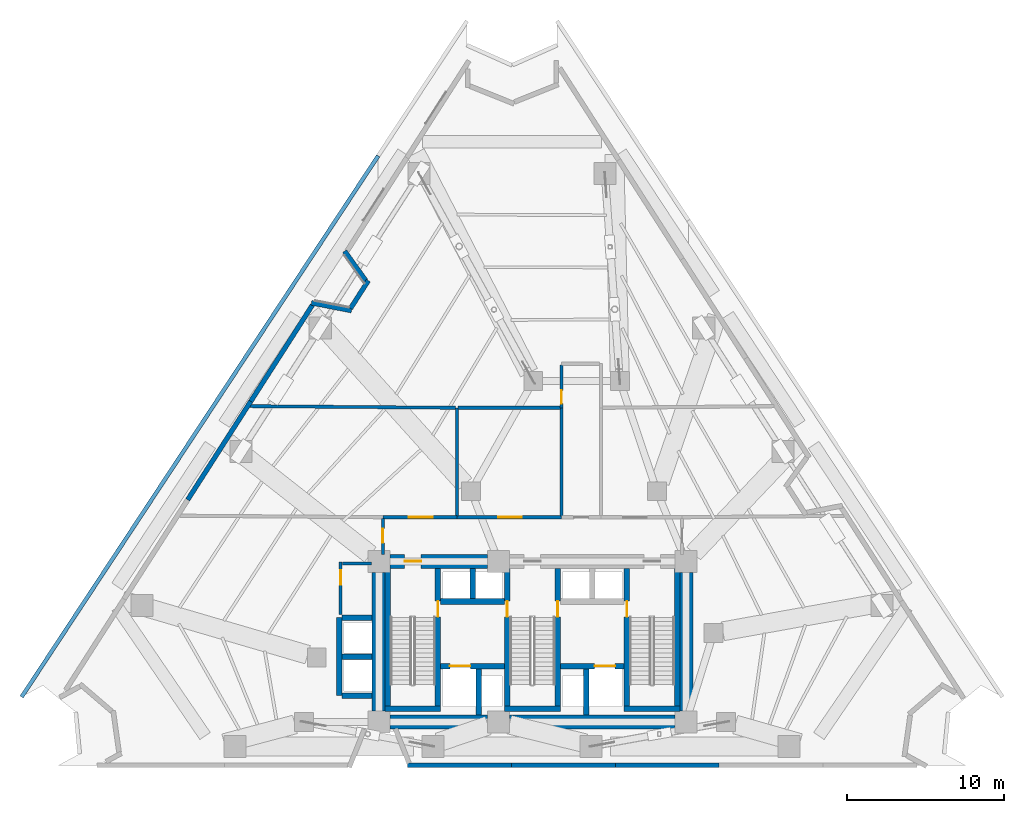
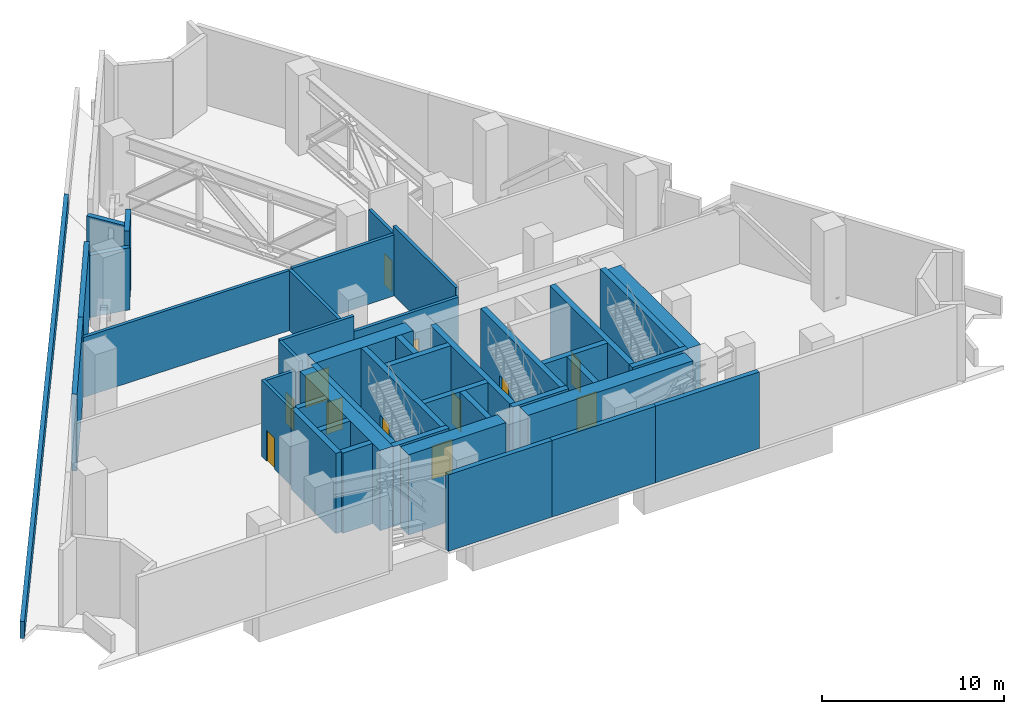
# One storey, part 8 of 12: 43 walls, 12 doors, 12 openings.
"""IFC4 building model written with IfcOpenShell, lengths in metres."""

from ifc_helpers import new_model, si_unit, direction, frame, frame_2d, origin, place, context, subcontext, project, spatial, rectangle, extrude, material, layer, layer_set, type_object, element, fill, save


model = new_model("IFC4")

# Units and contexts
model_context = context("Model", 3, precision=1e-05, world=origin(), true_north=direction((0.0, 1.0)))
body_context = subcontext(model_context, "Body", "Model", "MODEL_VIEW")
ifc_project = project(units=[si_unit("LENGTHUNIT", "METRE"), si_unit("AREAUNIT", "SQUARE_METRE"), si_unit("VOLUMEUNIT", "CUBIC_METRE"), si_unit("PLANEANGLEUNIT", "RADIAN"), si_unit("MASSUNIT", "GRAM", prefix="KILO")], contexts=[model_context])

# Site, building, storey
site_placement = place(None, origin())
site = spatial("IfcSite", under=ifc_project, at=site_placement, CompositionType="ELEMENT")
building_placement = place(site_placement, origin())
building = spatial("IfcBuilding", under=site, at=building_placement, Name="Almagre Mirador Tower", CompositionType="ELEMENT")
storey_placement = place(building_placement, frame((0.0, 0.0, 26.39990234375)))
storey = spatial("IfcBuildingStorey", under=building, at=storey_placement, Name="L05", CompositionType="ELEMENT", Elevation=26.39990234375)

# Walls
ifc_material_1 = material(Name="Precast concrete C50/60", Category="concrete")
ifc_layer_1 = layer(ifc_material_1, 0.300048828125)
ifc_layer_set_1 = layer_set([ifc_layer_1], Name="Precast concrete C50/60")
wall_type_1 = type_object("IfcWallType", Name="WAL-EXT-300", PredefinedType="SOLIDWALL", material=ifc_layer_set_1)
wall_1_placement = place(storey_placement, frame((23.263671875, 31.16552734375, 0.0), z_axis=(0.0, 0.0, 1.0), x_axis=(0.981760587394, -0.190121406053, 0.0)))
element("IfcWall", 1, at=wall_1_placement, inside=storey, type_object=wall_type_1, Name="L05 expressed almagre precast frame wall 01", PredefinedType="SOLIDWALL", context=body_context, shape_type="SweptSolid", body=[
    extrude(rectangle(XDim=2.593994140625, YDim=0.300048828125, at=frame_2d((1.296875, 0.0))), origin(), (0.0, 0.0, 1.0), 4.175048828125),
])
wall_2_placement = place(storey_placement, frame((25.745849609375, 30.812744140625, 0.0), z_axis=(0.0, 0.0, 1.0), x_axis=(0.539248803763, 0.842146500106, 0.0)))
element("IfcWall", 2, at=wall_2_placement, inside=storey, type_object=wall_type_1, Name="L05 expressed almagre precast frame wall 02", PredefinedType="SOLIDWALL", context=body_context, shape_type="SweptSolid", body=[
    extrude(rectangle(XDim=2.0947265625, YDim=0.300048828125, at=frame_2d((1.04736328125, 0.0))), origin(), (0.0, 0.0, 1.0), 5.150146484375),
])
wall_3_placement = place(storey_placement, frame((26.72119140625, 32.568603515625, 0.0), z_axis=(0.0, 0.0, 1.0), x_axis=(-0.58296983002, 0.812493801384, 0.0)))
element("IfcWall", 3, at=wall_3_placement, inside=storey, type_object=wall_type_1, Name="L05 expressed almagre precast frame wall 03", PredefinedType="SOLIDWALL", context=body_context, shape_type="SweptSolid", body=[
    extrude(rectangle(XDim=2.31884765625, YDim=0.300048828125, at=frame_2d((1.159423828125, 0.0))), origin(), (0.0, 0.0, 1.0), 4.175048828125),
])
for number, where, z_axis, x_axis, name in (
    (4, (49.154296875, 1.800048828125, 0.0), (0.0, 0.0, 1.0), (-1.0, 0.0, 0.0), "L05 expressed almagre precast frame wall 25"),
    (5, (42.5615234375, 1.800048828125, 0.0), (0.0, 0.0, 1.0), (-1.0, 0.0, 0.0), "L05 expressed almagre precast frame wall 26"),
    (6, (35.96875, 1.800048828125, 0.0), (0.0, 0.0, 1.0), (-1.0, 0.0, 0.0), "L05 expressed almagre precast frame wall 27"),
):
    element("IfcWall", number, at=place(storey_placement, frame(where, z_axis=z_axis, x_axis=x_axis)), inside=storey, type_object=wall_type_1, Name=name, PredefinedType="SOLIDWALL", context=body_context, shape_type="SweptSolid", body=[
        extrude(rectangle(XDim=6.5927734375, YDim=0.300048828125, at=frame_2d((3.29638671875, 0.0))), origin(), (0.0, 0.0, 1.0), 5.150146484375),
    ])
wall_4_placement = place(storey_placement, frame((15.403564453125, 18.658447265625, 0.0), z_axis=(0.0, 0.0, 1.0), x_axis=(0.539510136354, 0.841979104712, 0.0)))
element("IfcWall", 7, at=wall_4_placement, inside=storey, type_object=wall_type_1, Name="L05 expressed almagre precast frame wall 38", PredefinedType="SOLIDWALL", context=body_context, shape_type="SweptSolid", body=[
    extrude(rectangle(XDim=7.4814453125, YDim=0.300048828125, at=frame_2d((3.74072265625, 0.0))), origin(), (0.0, 0.0, 1.0), 5.150146484375),
])
wall_5_placement = place(storey_placement, frame((19.40869140625, 24.908935546875, 0.0), z_axis=(0.0, 0.0, 1.0), x_axis=(0.53953235192, 0.841964869357, 0.0)))
element("IfcWall", 8, at=wall_5_placement, inside=storey, type_object=wall_type_1, Name="L05 expressed almagre precast frame wall 39", PredefinedType="SOLIDWALL", context=body_context, shape_type="SweptSolid", body=[
    extrude(rectangle(XDim=7.264404296875, YDim=0.300048828125, at=frame_2d((3.63232421875, 0.0))), origin(), (0.0, 0.0, 1.0), 5.150146484375),
])
ifc_material_2 = material(Name="Precast concrete C50/60", Category="concrete")
ifc_layer_2 = layer(ifc_material_2, 0.25)
ifc_layer_set_2 = layer_set([ifc_layer_2], Name="Precast concrete C50/60")
wall_type_2 = type_object("IfcWallType", Name="WAL-PAR-250", PredefinedType="PARAPET", material=ifc_layer_set_2)
wall_6_placement = place(storey_placement, frame((4.861083984375, 6.14208984375, 0.0), z_axis=(0.0, 0.0, 1.0), x_axis=(0.550210507218, 0.83502598627, 0.0)))
element("IfcWall", 9, at=wall_6_placement, inside=storey, type_object=wall_type_2, Name="L05 terrace precast parapet 1.4", PredefinedType="PARAPET", context=body_context, shape_type="SweptSolid", body=[
    extrude(rectangle(XDim=41.14599609375, YDim=0.25, at=frame_2d((20.572998046875, 0.0))), origin(), (0.0, 0.0, 1.0), 1.150146484375),
])

# Wall, opening, door
ifc_material_3 = material(Name="Gypsum acoustic stud partition", Category="other")
ifc_layer_3 = layer(ifc_material_3, 0.199951171875)
ifc_layer_set_3 = layer_set([ifc_layer_3], Name="Gypsum acoustic stud partition")
wall_type_3 = type_object("IfcWallType", Name="WAL-PRT-200-EI60", PredefinedType="PARTITIONING", material=ifc_layer_set_3)
wall_7_placement = place(storey_placement, frame((25.1201171875, 11.3701171875, 0.0), z_axis=(0.0, 0.0, 1.0), x_axis=(0.0, 1.0, 0.0)))
wall_7 = element("IfcWall", 10, at=wall_7_placement, inside=storey, type_object=wall_type_3, Name="L05 core ancillary west wall", PredefinedType="PARTITIONING", context=body_context, shape_type="SweptSolid", body=[
    extrude(rectangle(XDim=3.33984375, YDim=0.199951171875, at=frame_2d((1.669921875, 0.0))), origin(), (0.0, 0.0, 1.0), 5.150146484375),
])
opening_1_placement = place(wall_7_placement, frame((1.89990234375, 0.0, 0.0)))
opening_1 = element("IfcOpeningElement", 11, at=opening_1_placement, cuts=wall_7, Name="Opening ID-03", PredefinedType="OPENING", context=body_context, shape_type="SweptSolid", body=[
    extrude(rectangle(XDim=0.89990234375, YDim=2.10009765625, at=frame_2d((0.449951171875, 1.050048828125))), frame((0.0, 0.110098, 0.0), z_axis=(0.0, -1.0, 0.0), x_axis=(1.0, 0.0, 0.0)), (0.0, 0.0, 1.0), 0.219951),
])
ifc_material_4 = material(Name="Fire-rated hollow steel", Category="steel")
door_type_1 = type_object("IfcDoorType", Name="DOR-FD60-900X2100", OperationType="NOTDEFINED", PredefinedType="DOOR", material=ifc_material_4)
door_1_placement = place(opening_1_placement, origin())
door_1 = element("IfcDoor", 12, at=door_1_placement, inside=storey, type_object=door_type_1, Name="DR-0157 L05 core ancillary corridor door", OperationType="SINGLE_SWING_RIGHT", OverallHeight=2.10009765625, OverallWidth=0.89990234375, PredefinedType="DOOR", context=body_context, shape_type="SweptSolid", body=[
    extrude(rectangle(XDim=0.89990234375, YDim=2.10009765625, at=frame_2d((0.449951171875, 1.050048828125))), frame((0.0, 0.02490234375, 0.0), z_axis=(0.0, -1.0, 0.0), x_axis=(1.0, 0.0, 0.0)), (0.0, 0.0, 1.0), 0.050048828125),
])
fill(opening_1, door_1)

# Walls
wall_8_placement = place(storey_placement, frame((25.22509765625, 14.6201171875, 0.0), z_axis=(0.0, 0.0, 1.0), x_axis=(1.0, 0.0, 0.0)))
element("IfcWall", 13, at=wall_8_placement, inside=storey, type_object=wall_type_3, Name="L05 core ancillary north wall", PredefinedType="PARTITIONING", context=body_context, shape_type="SweptSolid", body=[
    extrude(rectangle(XDim=1.85986328125, YDim=0.199951171875, at=frame_2d((0.929931640625, 0.0))), origin(), (0.0, 0.0, 1.0), 5.150146484375),
])
wall_9_placement = place(storey_placement, frame((39.14990234375, 24.5, 0.0), z_axis=(0.0, 0.0, 1.0), x_axis=(0.0, -1.0, 0.0)))
element("IfcWall", 14, at=wall_9_placement, inside=storey, type_object=wall_type_3, Name="L05 interior partition 002", PredefinedType="PARTITIONING", context=body_context, shape_type="SweptSolid", body=[
    extrude(rectangle(XDim=6.864990234375, YDim=0.199951171875, at=frame_2d((3.4326171875, 0.0))), origin(), (0.0, 0.0, 1.0), 4.653076171875),
])

# Wall, opening, door
wall_10_placement = place(storey_placement, frame((39.14990234375, 27.215087890625, 0.0), z_axis=(0.0, 0.0, 1.0), x_axis=(0.0, -1.0, 0.0)))
wall_10 = element("IfcWall", 15, at=wall_10_placement, inside=storey, type_object=wall_type_3, Name="L05 interior partition 006", PredefinedType="PARTITIONING", context=body_context, shape_type="SweptSolid", body=[
    extrude(rectangle(XDim=2.715087890625, YDim=0.199951171875, at=frame_2d((1.357421875, 0.0))), origin(), (0.0, 0.0, 1.0), 4.109130859375),
])
opening_2_placement = place(wall_10_placement, frame((1.605712890625, 0.0, 0.0)))
opening_2 = element("IfcOpeningElement", 16, at=opening_2_placement, cuts=wall_10, Name="Opening ID-06", PredefinedType="OPENING", context=body_context, shape_type="SweptSolid", body=[
    extrude(rectangle(XDim=0.85009765625, YDim=2.10009765625, at=frame_2d((0.425048828125, 1.050048828125))), frame((0.0, 0.110098, 0.0), z_axis=(0.0, -1.0, 0.0), x_axis=(1.0, 0.0, 0.0)), (0.0, 0.0, 1.0), 0.219951),
])
ifc_material_5 = material(Name="Fire-rated hollow steel", Category="steel")
door_type_2 = type_object("IfcDoorType", Name="DOR-FD60-850X2100", OperationType="NOTDEFINED", PredefinedType="DOOR", material=ifc_material_5)
door_2_placement = place(opening_2_placement, origin())
door_2 = element("IfcDoor", 17, at=door_2_placement, inside=storey, type_object=door_type_2, Name="DR-0168 L05 interior door L05-PLT-1 to L05-PLT-6", OperationType="SINGLE_SWING_LEFT", OverallHeight=2.10009765625, OverallWidth=0.85009765625, PredefinedType="DOOR", context=body_context, shape_type="SweptSolid", body=[
    extrude(rectangle(XDim=0.85009765625, YDim=2.10009765625, at=frame_2d((0.425048828125, 1.050048828125))), frame((0.0, 0.02490234375, 0.0), z_axis=(0.0, -1.0, 0.0), x_axis=(1.0, 0.0, 0.0)), (0.0, 0.0, 1.0), 0.050048828125),
])
fill(opening_2, door_2)

wall_11_placement = place(storey_placement, frame((39.14990234375, 17.550048828125, 0.0), z_axis=(0.0, 0.0, 1.0), x_axis=(-1.0, 0.0, 0.0)))
wall_11 = element("IfcWall", 18, at=wall_11_placement, inside=storey, type_object=wall_type_3, Name="L05 interior partition 008", PredefinedType="PARTITIONING", context=body_context, shape_type="SweptSolid", body=[
    extrude(rectangle(XDim=6.64990234375, YDim=0.199951171875, at=frame_2d((3.324951171875, 0.0))), origin(), (0.0, 0.0, 1.0), 4.109130859375),
])
opening_3_placement = place(wall_11_placement, frame((2.515625, 0.0, 0.0)))
opening_3 = element("IfcOpeningElement", 19, at=opening_3_placement, cuts=wall_11, Name="Opening ID-04", PredefinedType="OPENING", context=body_context, shape_type="SweptSolid", body=[
    extrude(rectangle(XDim=1.5, YDim=2.199951171875, at=frame_2d((0.75, 1.10009765625))), frame((0.0, 0.110098, 0.0), z_axis=(0.0, -1.0, 0.0), x_axis=(1.0, 0.0, 0.0)), (0.0, 0.0, 1.0), 0.219951),
])
ifc_material_6 = material(Name="Fire-rated hollow steel", Category="steel")
door_type_3 = type_object("IfcDoorType", Name="DOR-FD60-1500X2200", OperationType="DOUBLE_DOOR_SINGLE_SWING", PredefinedType="DOOR", material=ifc_material_6)
door_3_placement = place(opening_3_placement, origin())
door_3 = element("IfcDoor", 20, at=door_3_placement, inside=storey, type_object=door_type_3, Name="DR-0163 L05 interior door L05-PCOR to L05-PLT-3", OperationType="DOUBLE_DOOR_SINGLE_SWING", OverallHeight=2.199951171875, OverallWidth=1.5, PredefinedType="DOOR", context=body_context, shape_type="SweptSolid", body=[
    extrude(rectangle(XDim=1.5, YDim=2.199951171875, at=frame_2d((0.75, 1.10009765625))), frame((0.0, 0.02490234375, 0.0), z_axis=(0.0, -1.0, 0.0), x_axis=(1.0, 0.0, 0.0)), (0.0, 0.0, 1.0), 0.050048828125),
])
fill(opening_3, door_3)

wall_12_placement = place(storey_placement, frame((32.5, 17.550048828125, 0.0), z_axis=(0.0, 0.0, 1.0), x_axis=(-1.0, 0.0, 0.0)))
wall_12 = element("IfcWall", 21, at=wall_12_placement, inside=storey, type_object=wall_type_3, Name="L05 interior partition 010", PredefinedType="PARTITIONING", context=body_context, shape_type="SweptSolid", body=[
    extrude(rectangle(XDim=4.699951171875, YDim=0.199951171875, at=frame_2d((2.35009765625, 0.0))), origin(), (0.0, 0.0, 1.0), 5.150146484375),
])
opening_4_placement = place(wall_12_placement, frame((1.54150390625, 0.0, 0.0)))
opening_4 = element("IfcOpeningElement", 22, at=opening_4_placement, cuts=wall_12, Name="Opening ID-04", PredefinedType="OPENING", context=body_context, shape_type="SweptSolid", body=[
    extrude(rectangle(XDim=1.5, YDim=2.199951171875, at=frame_2d((0.75, 1.10009765625))), frame((0.0, 0.110098, 0.0), z_axis=(0.0, -1.0, 0.0), x_axis=(1.0, 0.0, 0.0)), (0.0, 0.0, 1.0), 0.219951),
])
door_4_placement = place(opening_4_placement, origin())
door_4 = element("IfcDoor", 23, at=door_4_placement, inside=storey, type_object=door_type_3, Name="DR-0165 L05 interior door L05-PCOR to L05-PLT-5", OperationType="DOUBLE_DOOR_SINGLE_SWING", OverallHeight=2.199951171875, OverallWidth=1.5, PredefinedType="DOOR", context=body_context, shape_type="SweptSolid", body=[
    extrude(rectangle(XDim=1.5, YDim=2.199951171875, at=frame_2d((0.75, 1.10009765625))), frame((0.0, 0.02490234375, 0.0), z_axis=(0.0, -1.0, 0.0), x_axis=(1.0, 0.0, 0.0)), (0.0, 0.0, 1.0), 0.050048828125),
])
fill(opening_4, door_4)

wall_13_placement = place(storey_placement, frame((27.800048828125, 17.465087890625, 0.0), z_axis=(0.0, 0.0, 1.0), x_axis=(0.0, -1.0, 0.0)))
wall_13 = element("IfcWall", 24, at=wall_13_placement, inside=storey, type_object=wall_type_3, Name="L05 interior partition 012", PredefinedType="PARTITIONING", context=body_context, shape_type="SweptSolid", body=[
    extrude(rectangle(XDim=2.26513671875, YDim=0.199951171875, at=frame_2d((1.132568359375, 0.0))), origin(), (0.0, 0.0, 1.0), 5.150146484375),
])
opening_5_placement = place(wall_13_placement, frame((0.639892578125, 0.0, 0.0)))
opening_5 = element("IfcOpeningElement", 25, at=opening_5_placement, cuts=wall_13, Name="Opening ID-03", PredefinedType="OPENING", context=body_context, shape_type="SweptSolid", body=[
    extrude(rectangle(XDim=0.89990234375, YDim=2.10009765625, at=frame_2d((0.449951171875, 1.050048828125))), frame((0.0, 0.110098, 0.0), z_axis=(0.0, -1.0, 0.0), x_axis=(1.0, 0.0, 0.0)), (0.0, 0.0, 1.0), 0.219951),
])
door_5_placement = place(opening_5_placement, origin())
door_5 = element("IfcDoor", 26, at=door_5_placement, inside=storey, type_object=door_type_1, Name="DR-0167 L05 interior door L05-PCOR to L05-REF-W", OperationType="SINGLE_SWING_RIGHT", OverallHeight=2.10009765625, OverallWidth=0.89990234375, PredefinedType="DOOR", context=body_context, shape_type="SweptSolid", body=[
    extrude(rectangle(XDim=0.89990234375, YDim=2.10009765625, at=frame_2d((0.449951171875, 1.050048828125))), frame((0.0, 0.02490234375, 0.0), z_axis=(0.0, -1.0, 0.0), x_axis=(1.0, 0.0, 0.0)), (0.0, 0.0, 1.0), 0.050048828125),
])
fill(opening_5, door_5)

# Walls
wall_14_placement = place(storey_placement, frame((32.5, 24.5, 0.0), z_axis=(0.0, 0.0, 1.0), x_axis=(0.0, -1.0, 0.0)))
element("IfcWall", 27, at=wall_14_placement, inside=storey, type_object=wall_type_3, Name="L05 interior partition 013", PredefinedType="PARTITIONING", context=body_context, shape_type="SweptSolid", body=[
    extrude(rectangle(XDim=6.864990234375, YDim=0.199951171875, at=frame_2d((3.4326171875, 0.0))), origin(), (0.0, 0.0, 1.0), 4.028076171875),
])
wall_15_placement = place(storey_placement, frame((39.06494140625, 24.5, 0.0), z_axis=(0.0, 0.0, 1.0), x_axis=(-1.0, 0.0, 0.0)))
element("IfcWall", 28, at=wall_15_placement, inside=storey, type_object=wall_type_3, Name="L05 interior partition 014", PredefinedType="PARTITIONING", context=body_context, shape_type="SweptSolid", body=[
    extrude(rectangle(XDim=6.47998046875, YDim=0.199951171875, at=frame_2d((3.239990234375, 0.0))), origin(), (0.0, 0.0, 1.0), 4.109130859375),
])
wall_16_placement = place(storey_placement, frame((32.4150390625, 24.50048828125, 0.0), z_axis=(0.0, 0.0, 1.0), x_axis=(-0.999967999143, 0.00800004306, 0.0)))
element("IfcWall", 29, at=wall_16_placement, inside=storey, type_object=wall_type_3, Name="L05 interior partition 018", PredefinedType="PARTITIONING", context=body_context, shape_type="SweptSolid", body=[
    extrude(rectangle(XDim=13.0615234375, YDim=0.199951171875, at=frame_2d((6.53076171875, 0.0))), origin(), (0.0, 0.0, 1.0), 4.028076171875),
])
ifc_material_7 = material(Name="Concrete C60/75", Category="concrete")
ifc_layer_4 = layer(ifc_material_7, 0.35009765625)
ifc_layer_set_4 = layer_set([ifc_layer_4], Name="Concrete C60/75")
wall_type_4 = type_object("IfcWallType", Name="WAL-SHF-350", PredefinedType="SOLIDWALL", material=ifc_layer_set_4)
wall_17_placement = place(storey_placement, frame((28.10009765625, 5.199951171875, 0.0), z_axis=(0.0, 0.0, 1.0), x_axis=(0.0, 1.0, 0.0)))
element("IfcWall", 30, at=wall_17_placement, inside=storey, type_object=wall_type_4, Name="L05 shaft wall ST1-W", PredefinedType="SOLIDWALL", context=body_context, shape_type="SweptSolid", body=[
    extrude(rectangle(XDim=9.10009765625, YDim=0.35009765625, at=frame_2d((4.550048828125, 0.0))), origin(), (0.0, 0.0, 1.0), 5.400146484375),
])

# Wall, opening, door
wall_18_placement = place(storey_placement, frame((31.300048828125, 5.199951171875, 0.0), z_axis=(0.0, 0.0, 1.0), x_axis=(0.0, 1.0, 0.0)))
wall_18 = element("IfcWall", 31, at=wall_18_placement, inside=storey, type_object=wall_type_4, Name="L05 shaft wall ST1-E", PredefinedType="SOLIDWALL", context=body_context, shape_type="SweptSolid", body=[
    extrude(rectangle(XDim=9.10009765625, YDim=0.35009765625, at=frame_2d((4.550048828125, 0.0))), origin(), (0.0, 0.0, 1.0), 5.400146484375),
])
opening_6_placement = place(wall_18_placement, frame((6.02001953125, 0.0, 0.0)))
opening_6 = element("IfcOpeningElement", 32, at=opening_6_placement, cuts=wall_18, Name="Opening FD-01", PredefinedType="OPENING", context=body_context, shape_type="SweptSolid", body=[
    extrude(rectangle(XDim=1.0, YDim=2.14990234375, at=frame_2d((0.5, 1.074951171875))), frame((0.0, 0.185049, 0.0), z_axis=(0.0, -1.0, 0.0), x_axis=(1.0, 0.0, 0.0)), (0.0, 0.0, 1.0), 0.370098),
])
ifc_material_8 = material(Name="Fire-rated hollow steel", Category="steel")
door_type_4 = type_object("IfcDoorType", Name="DOR-FFL-1000X2150", OperationType="NOTDEFINED", PredefinedType="DOOR", material=ifc_material_8)
door_6_placement = place(opening_6_placement, origin())
door_6 = element("IfcDoor", 33, at=door_6_placement, inside=storey, type_object=door_type_4, Name="DR-0158 L05 FFL1-ST1 smokeproof door", OperationType="SINGLE_SWING_RIGHT", OverallHeight=2.14990234375, OverallWidth=1.0, PredefinedType="DOOR", context=body_context, shape_type="SweptSolid", body=[
    extrude(rectangle(XDim=1.0, YDim=2.14990234375, at=frame_2d((0.5, 1.074951171875))), frame((0.0, 0.02490234375, 0.0), z_axis=(0.0, -1.0, 0.0), x_axis=(1.0, 0.0, 0.0)), (0.0, 0.0, 1.0), 0.050048828125),
])
fill(opening_6, door_6)

# Wall
wall_19_placement = place(storey_placement, frame((27.925048828125, 5.375, 0.0), z_axis=(0.0, 0.0, 1.0), x_axis=(1.0, 0.0, 0.0)))
element("IfcWall", 34, at=wall_19_placement, inside=storey, type_object=wall_type_4, Name="L05 shaft wall ST1-S", PredefinedType="SOLIDWALL", context=body_context, shape_type="SweptSolid", body=[
    extrude(rectangle(XDim=3.550048828125, YDim=0.35009765625, at=frame_2d((1.77490234375, 0.0))), origin(), (0.0, 0.0, 1.0), 5.400146484375),
])

# Wall, opening, door
wall_20_placement = place(storey_placement, frame((35.699951171875, 5.199951171875, 0.0), z_axis=(0.0, 0.0, 1.0), x_axis=(0.0, 1.0, 0.0)))
wall_20 = element("IfcWall", 35, at=wall_20_placement, inside=storey, type_object=wall_type_4, Name="L05 shaft wall ST2-W", PredefinedType="SOLIDWALL", context=body_context, shape_type="SweptSolid", body=[
    extrude(rectangle(XDim=9.10009765625, YDim=0.35009765625, at=frame_2d((4.550048828125, 0.0))), origin(), (0.0, 0.0, 1.0), 5.400146484375),
])
opening_7_placement = place(wall_20_placement, frame((6.02001953125, 0.0, 0.0)))
opening_7 = element("IfcOpeningElement", 36, at=opening_7_placement, cuts=wall_20, Name="Opening FD-01", PredefinedType="OPENING", context=body_context, shape_type="SweptSolid", body=[
    extrude(rectangle(XDim=1.0, YDim=2.14990234375, at=frame_2d((0.5, 1.074951171875))), frame((0.0, 0.185049, 0.0), z_axis=(0.0, -1.0, 0.0), x_axis=(1.0, 0.0, 0.0)), (0.0, 0.0, 1.0), 0.370098),
])
door_7_placement = place(opening_7_placement, origin())
door_7 = element("IfcDoor", 37, at=door_7_placement, inside=storey, type_object=door_type_4, Name="DR-0159 L05 FFL1-ST2 smokeproof door", OperationType="SINGLE_SWING_LEFT", OverallHeight=2.14990234375, OverallWidth=1.0, PredefinedType="DOOR", context=body_context, shape_type="SweptSolid", body=[
    extrude(rectangle(XDim=1.0, YDim=2.14990234375, at=frame_2d((0.5, 1.074951171875))), frame((0.0, 0.02490234375, 0.0), z_axis=(0.0, -1.0, 0.0), x_axis=(1.0, 0.0, 0.0)), (0.0, 0.0, 1.0), 0.050048828125),
])
fill(opening_7, door_7)

wall_21_placement = place(storey_placement, frame((38.89990234375, 5.199951171875, 0.0), z_axis=(0.0, 0.0, 1.0), x_axis=(0.0, 1.0, 0.0)))
wall_21 = element("IfcWall", 38, at=wall_21_placement, inside=storey, type_object=wall_type_4, Name="L05 shaft wall ST2-E", PredefinedType="SOLIDWALL", context=body_context, shape_type="SweptSolid", body=[
    extrude(rectangle(XDim=9.10009765625, YDim=0.35009765625, at=frame_2d((4.550048828125, 0.0))), origin(), (0.0, 0.0, 1.0), 5.400146484375),
])
opening_8_placement = place(wall_21_placement, frame((6.02001953125, 0.0, 0.0)))
opening_8 = element("IfcOpeningElement", 39, at=opening_8_placement, cuts=wall_21, Name="Opening FD-01", PredefinedType="OPENING", context=body_context, shape_type="SweptSolid", body=[
    extrude(rectangle(XDim=1.0, YDim=2.14990234375, at=frame_2d((0.5, 1.074951171875))), frame((0.0, 0.185049, 0.0), z_axis=(0.0, -1.0, 0.0), x_axis=(1.0, 0.0, 0.0)), (0.0, 0.0, 1.0), 0.370098),
])
door_8_placement = place(opening_8_placement, origin())
door_8 = element("IfcDoor", 40, at=door_8_placement, inside=storey, type_object=door_type_4, Name="DR-0160 L05 FFL2-ST2 smokeproof door", OperationType="SINGLE_SWING_RIGHT", OverallHeight=2.14990234375, OverallWidth=1.0, PredefinedType="DOOR", context=body_context, shape_type="SweptSolid", body=[
    extrude(rectangle(XDim=1.0, YDim=2.14990234375, at=frame_2d((0.5, 1.074951171875))), frame((0.0, 0.02490234375, 0.0), z_axis=(0.0, -1.0, 0.0), x_axis=(1.0, 0.0, 0.0)), (0.0, 0.0, 1.0), 0.050048828125),
])
fill(opening_8, door_8)

# Wall
wall_22_placement = place(storey_placement, frame((35.52490234375, 5.375, 0.0), z_axis=(0.0, 0.0, 1.0), x_axis=(1.0, 0.0, 0.0)))
element("IfcWall", 41, at=wall_22_placement, inside=storey, type_object=wall_type_4, Name="L05 shaft wall ST2-S", PredefinedType="SOLIDWALL", context=body_context, shape_type="SweptSolid", body=[
    extrude(rectangle(XDim=3.550048828125, YDim=0.35009765625, at=frame_2d((1.77490234375, 0.0))), origin(), (0.0, 0.0, 1.0), 5.400146484375),
])

# Wall, opening, door
wall_23_placement = place(storey_placement, frame((43.300048828125, 5.199951171875, 0.0), z_axis=(0.0, 0.0, 1.0), x_axis=(0.0, 1.0, 0.0)))
wall_23 = element("IfcWall", 42, at=wall_23_placement, inside=storey, type_object=wall_type_4, Name="L05 shaft wall ST3-W", PredefinedType="SOLIDWALL", context=body_context, shape_type="SweptSolid", body=[
    extrude(rectangle(XDim=9.10009765625, YDim=0.35009765625, at=frame_2d((4.550048828125, 0.0))), origin(), (0.0, 0.0, 1.0), 5.400146484375),
])
opening_9_placement = place(wall_23_placement, frame((6.02001953125, 0.0, 0.0)))
opening_9 = element("IfcOpeningElement", 43, at=opening_9_placement, cuts=wall_23, Name="Opening FD-01", PredefinedType="OPENING", context=body_context, shape_type="SweptSolid", body=[
    extrude(rectangle(XDim=1.0, YDim=2.14990234375, at=frame_2d((0.5, 1.074951171875))), frame((0.0, 0.185049, 0.0), z_axis=(0.0, -1.0, 0.0), x_axis=(1.0, 0.0, 0.0)), (0.0, 0.0, 1.0), 0.370098),
])
door_9_placement = place(opening_9_placement, origin())
door_9 = element("IfcDoor", 44, at=door_9_placement, inside=storey, type_object=door_type_4, Name="DR-0161 L05 FFL2-ST3 smokeproof door", OperationType="SINGLE_SWING_LEFT", OverallHeight=2.14990234375, OverallWidth=1.0, PredefinedType="DOOR", context=body_context, shape_type="SweptSolid", body=[
    extrude(rectangle(XDim=1.0, YDim=2.14990234375, at=frame_2d((0.5, 1.074951171875))), frame((0.0, 0.02490234375, 0.0), z_axis=(0.0, -1.0, 0.0), x_axis=(1.0, 0.0, 0.0)), (0.0, 0.0, 1.0), 0.050048828125),
])
fill(opening_9, door_9)

# Walls
wall_24_placement = place(storey_placement, frame((46.5, 5.199951171875, 0.0), z_axis=(0.0, 0.0, 1.0), x_axis=(0.0, 1.0, 0.0)))
element("IfcWall", 45, at=wall_24_placement, inside=storey, type_object=wall_type_4, Name="L05 shaft wall ST3-E", PredefinedType="SOLIDWALL", context=body_context, shape_type="SweptSolid", body=[
    extrude(rectangle(XDim=9.10009765625, YDim=0.35009765625, at=frame_2d((4.550048828125, 0.0))), origin(), (0.0, 0.0, 1.0), 5.400146484375),
])
wall_25_placement = place(storey_placement, frame((43.125, 5.375, 0.0), z_axis=(0.0, 0.0, 1.0), x_axis=(1.0, 0.0, 0.0)))
element("IfcWall", 46, at=wall_25_placement, inside=storey, type_object=wall_type_4, Name="L05 shaft wall ST3-S", PredefinedType="SOLIDWALL", context=body_context, shape_type="SweptSolid", body=[
    extrude(rectangle(XDim=3.550048828125, YDim=0.35009765625, at=frame_2d((1.77490234375, 0.0))), origin(), (0.0, 0.0, 1.0), 5.400146484375),
])

# Wall, opening, door
wall_26_placement = place(storey_placement, frame((31.47509765625, 8.10009765625, 0.0), z_axis=(0.0, 0.0, 1.0), x_axis=(1.0, 0.0, 0.0)))
wall_26 = element("IfcWall", 47, at=wall_26_placement, inside=storey, type_object=wall_type_4, Name="L05 shaft wall FSAE1-N", PredefinedType="SOLIDWALL", context=body_context, shape_type="SweptSolid", body=[
    extrude(rectangle(XDim=4.0498046875, YDim=0.35009765625, at=frame_2d((2.02490234375, 0.0))), origin(), (0.0, 0.0, 1.0), 5.400146484375),
])
opening_10_placement = place(wall_26_placement, frame((0.574951171875, 0.0, 0.0)))
opening_10 = element("IfcOpeningElement", 48, at=opening_10_placement, cuts=wall_26, Name="Opening LD-03", PredefinedType="OPENING", context=body_context, shape_type="SweptSolid", body=[
    extrude(rectangle(XDim=1.300048828125, YDim=2.25, at=frame_2d((0.64990234375, 1.125))), frame((0.0, 0.185049, 0.0), z_axis=(0.0, -1.0, 0.0), x_axis=(1.0, 0.0, 0.0)), (0.0, 0.0, 1.0), 0.370098),
])
ifc_material_9 = material(Name="Hollow stainless steel", Category="steel")
door_type_5 = type_object("IfcDoorType", Name="DOR-LD-1300X2250", OperationType="DOUBLE_DOOR_SLIDING", PredefinedType="DOOR", material=ifc_material_9)
door_10_placement = place(opening_10_placement, origin())
door_10 = element("IfcDoor", 49, at=door_10_placement, inside=storey, type_object=door_type_5, Name="DR-0169 L05 FSAE-1 lift landing door", OperationType="DOUBLE_DOOR_SLIDING", OverallHeight=2.25, OverallWidth=1.300048828125, PredefinedType="DOOR", context=body_context, shape_type="SweptSolid", body=[
    extrude(rectangle(XDim=1.300048828125, YDim=2.25, at=frame_2d((0.64990234375, 1.125))), frame((0.0, 0.02490234375, 0.0), z_axis=(0.0, -1.0, 0.0), x_axis=(1.0, 0.0, 0.0)), (0.0, 0.0, 1.0), 0.050048828125),
])
fill(opening_10, door_10)

wall_27_placement = place(storey_placement, frame((39.074951171875, 8.10009765625, 0.0), z_axis=(0.0, 0.0, 1.0), x_axis=(1.0, 0.0, 0.0)))
wall_27 = element("IfcWall", 50, at=wall_27_placement, inside=storey, type_object=wall_type_4, Name="L05 shaft wall FSAE2-N", PredefinedType="SOLIDWALL", context=body_context, shape_type="SweptSolid", body=[
    extrude(rectangle(XDim=4.050048828125, YDim=0.35009765625, at=frame_2d((2.02490234375, 0.0))), origin(), (0.0, 0.0, 1.0), 5.400146484375),
])
opening_11_placement = place(wall_27_placement, frame((2.175048828125, 0.0, 0.0)))
opening_11 = element("IfcOpeningElement", 51, at=opening_11_placement, cuts=wall_27, Name="Opening LD-03", PredefinedType="OPENING", context=body_context, shape_type="SweptSolid", body=[
    extrude(rectangle(XDim=1.300048828125, YDim=2.25, at=frame_2d((0.64990234375, 1.125))), frame((0.0, 0.185049, 0.0), z_axis=(0.0, -1.0, 0.0), x_axis=(1.0, 0.0, 0.0)), (0.0, 0.0, 1.0), 0.370098),
])
door_11_placement = place(opening_11_placement, origin())
door_11 = element("IfcDoor", 52, at=door_11_placement, inside=storey, type_object=door_type_5, Name="DR-0170 L05 FSAE-2 lift landing door", OperationType="DOUBLE_DOOR_SLIDING", OverallHeight=2.25, OverallWidth=1.300048828125, PredefinedType="DOOR", context=body_context, shape_type="SweptSolid", body=[
    extrude(rectangle(XDim=1.300048828125, YDim=2.25, at=frame_2d((0.64990234375, 1.125))), frame((0.0, 0.02490234375, 0.0), z_axis=(0.0, -1.0, 0.0), x_axis=(1.0, 0.0, 0.0)), (0.0, 0.0, 1.0), 0.050048828125),
])
fill(opening_11, door_11)

# Walls
for number, where, z_axis, x_axis, name in (
    (53, (33.89990234375, 5.0, 0.0), (0.0, 0.0, 1.0), (0.0, 1.0, 0.0), "L05 shaft wall FSAE1-E"),
    (54, (40.699951171875, 5.0, 0.0), (0.0, 0.0, 1.0), (0.0, 1.0, 0.0), "L05 shaft wall FSAE2-W"),
):
    element("IfcWall", number, at=place(storey_placement, frame(where, z_axis=z_axis, x_axis=x_axis)), inside=storey, type_object=wall_type_4, Name=name, PredefinedType="SOLIDWALL", context=body_context, shape_type="SweptSolid", body=[
        extrude(rectangle(XDim=2.925048828125, YDim=0.35009765625, at=frame_2d((1.46240234375, 0.0))), origin(), (0.0, 0.0, 1.0), 5.400146484375),
    ])
wall_28_placement = place(storey_placement, frame((31.47509765625, 12.199951171875, 0.0), z_axis=(0.0, 0.0, 1.0), x_axis=(1.0, 0.0, 0.0)))
element("IfcWall", 55, at=wall_28_placement, inside=storey, type_object=wall_type_4, Name="L05 shaft wall PLM-S", PredefinedType="SOLIDWALL", context=body_context, shape_type="SweptSolid", body=[
    extrude(rectangle(XDim=4.0498046875, YDim=0.35009765625, at=frame_2d((2.02490234375, 0.0))), origin(), (0.0, 0.0, 1.0), 5.400146484375),
])
wall_29_placement = place(storey_placement, frame((33.5, 12.375, 0.0), z_axis=(0.0, 0.0, 1.0), x_axis=(0.0, 1.0, 0.0)))
element("IfcWall", 56, at=wall_29_placement, inside=storey, type_object=wall_type_4, Name="L05 shaft wall PLM-M", PredefinedType="SOLIDWALL", context=body_context, shape_type="SweptSolid", body=[
    extrude(rectangle(XDim=1.925048828125, YDim=0.35009765625, at=frame_2d((0.96240234375, 0.0))), origin(), (0.0, 0.0, 1.0), 5.400146484375),
])
wall_30_placement = place(storey_placement, frame((25.02490234375, 6.22509765625, 0.0), z_axis=(0.0, 0.0, 1.0), x_axis=(0.0, 1.0, 0.0)))
element("IfcWall", 57, at=wall_30_placement, inside=storey, type_object=wall_type_4, Name="L05 shaft wall OL-W", PredefinedType="SOLIDWALL", context=body_context, shape_type="SweptSolid", body=[
    extrude(rectangle(XDim=4.949951171875, YDim=0.35009765625, at=frame_2d((2.47509765625, 0.0))), origin(), (0.0, 0.0, 1.0), 5.400146484375),
])
for number, where, z_axis, x_axis, name in (
    (58, (25.199951171875, 6.22509765625, 0.0), (0.0, 0.0, 1.0), (1.0, 0.0, 0.0), "L05 shaft wall OL-S"),
    (59, (25.199951171875, 8.699951171875, 0.0), (0.0, 0.0, 1.0), (1.0, 0.0, 0.0), "L05 shaft wall OL-M"),
    (60, (25.199951171875, 11.175048828125, 0.0), (0.0, 0.0, 1.0), (1.0, 0.0, 0.0), "L05 shaft wall OL-N"),
):
    element("IfcWall", number, at=place(storey_placement, frame(where, z_axis=z_axis, x_axis=x_axis)), inside=storey, type_object=wall_type_4, Name=name, PredefinedType="SOLIDWALL", context=body_context, shape_type="SweptSolid", body=[
        extrude(rectangle(XDim=1.900146484375, YDim=0.35009765625, at=frame_2d((0.9501953125, 0.0))), origin(), (0.0, 0.0, 1.0), 5.400146484375),
    ])
ifc_material_10 = material(Name="Concrete C70/85", Category="concrete")
ifc_layer_5 = layer(ifc_material_10, 0.89990234375)
ifc_layer_set_5 = layer_set([ifc_layer_5], Name="Concrete C70/85")
wall_type_5 = type_object("IfcWallType", Name="WAL-SHR-900", PredefinedType="SHEAR", material=ifc_layer_set_5)
wall_31_placement = place(storey_placement, frame((28.25, 4.550048828125, 0.0), z_axis=(0.0, 0.0, 1.0), x_axis=(1.0, 0.0, 0.0)))
element("IfcWall", 61, at=wall_31_placement, inside=storey, type_object=wall_type_5, Name="L05 core shear wall S1", PredefinedType="SHEAR", context=body_context, shape_type="SweptSolid", body=[
    extrude(rectangle(XDim=6.199951171875, YDim=0.89990234375, at=frame_2d((3.10009765625, 0.0))), origin(), (0.0, 0.0, 1.0), 5.400146484375),
])
wall_32_placement = place(storey_placement, frame((35.85009765625, 4.550048828125, 0.0), z_axis=(0.0, 0.0, 1.0), x_axis=(1.0, 0.0, 0.0)))
element("IfcWall", 62, at=wall_32_placement, inside=storey, type_object=wall_type_5, Name="L05 core shear wall S2", PredefinedType="SHEAR", context=body_context, shape_type="SweptSolid", body=[
    extrude(rectangle(XDim=10.5, YDim=0.89990234375, at=frame_2d((5.25, 0.0))), origin(), (0.0, 0.0, 1.0), 5.400146484375),
])

# Wall, opening, door
wall_33_placement = place(storey_placement, frame((28.25, 14.75, 0.0), z_axis=(0.0, 0.0, 1.0), x_axis=(1.0, 0.0, 0.0)))
wall_33 = element("IfcWall", 63, at=wall_33_placement, inside=storey, type_object=wall_type_5, Name="L05 core shear wall N1", PredefinedType="SHEAR", context=body_context, shape_type="SweptSolid", body=[
    extrude(rectangle(XDim=6.199951171875, YDim=0.89990234375, at=frame_2d((3.10009765625, 0.0))), origin(), (0.0, 0.0, 1.0), 5.400146484375),
])
opening_12_placement = place(wall_33_placement, frame((0.925048828125, 0.0, 0.0)))
opening_12 = element("IfcOpeningElement", 64, at=opening_12_placement, cuts=wall_33, Name="Opening SD-01", PredefinedType="OPENING", context=body_context, shape_type="SweptSolid", body=[
    extrude(rectangle(XDim=1.050048828125, YDim=2.14990234375, at=frame_2d((0.52490234375, 1.074951171875))), frame((0.0, 0.459951, 0.0), z_axis=(0.0, -1.0, 0.0), x_axis=(1.0, 0.0, 0.0)), (0.0, 0.0, 1.0), 0.919902),
])
ifc_material_11 = material(Name="Fire-rated hollow steel", Category="steel")
door_type_6 = type_object("IfcDoorType", Name="DOR-ST-1050X2150", OperationType="NOTDEFINED", PredefinedType="DOOR", material=ifc_material_11)
door_12_placement = place(opening_12_placement, origin())
door_12 = element("IfcDoor", 65, at=door_12_placement, inside=storey, type_object=door_type_6, Name="DR-0171 L05 protected exit stair ST-1 door", OperationType="SINGLE_SWING_RIGHT", OverallHeight=2.14990234375, OverallWidth=1.050048828125, PredefinedType="DOOR", context=body_context, shape_type="SweptSolid", body=[
    extrude(rectangle(XDim=1.050048828125, YDim=2.14990234375, at=frame_2d((0.52490234375, 1.074951171875))), frame((0.0, 0.02490234375, 0.0), z_axis=(0.0, -1.0, 0.0), x_axis=(1.0, 0.0, 0.0)), (0.0, 0.0, 1.0), 0.050048828125),
])
fill(opening_12, door_12)

# Walls
for number, where, z_axis, x_axis, name in (
    (66, (27.550048828125, 5.25, 0.0), (0.0, 0.0, 1.0), (0.0, 1.0, 0.0), "L05 core shear wall W1"),
    (67, (47.050048828125, 5.25, 0.0), (0.0, 0.0, 1.0), (0.0, 1.0, 0.0), "L05 core shear wall E1"),
):
    element("IfcWall", number, at=place(storey_placement, frame(where, z_axis=z_axis, x_axis=x_axis)), inside=storey, type_object=wall_type_5, Name=name, PredefinedType="SHEAR", context=body_context, shape_type="SweptSolid", body=[
        extrude(rectangle(XDim=8.800048828125, YDim=0.89990234375, at=frame_2d((4.39990234375, 0.0))), origin(), (0.0, 0.0, 1.0), 5.400146484375),
    ])

save(model, "model.ifc")
